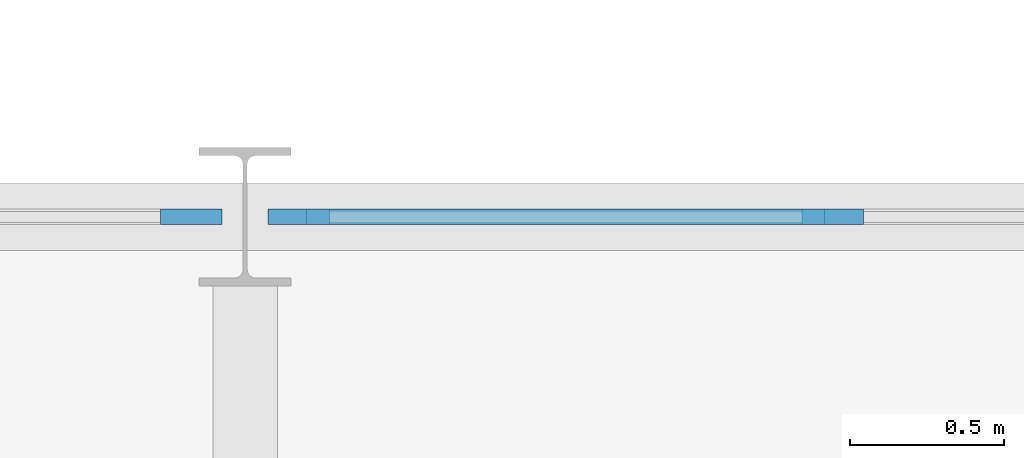
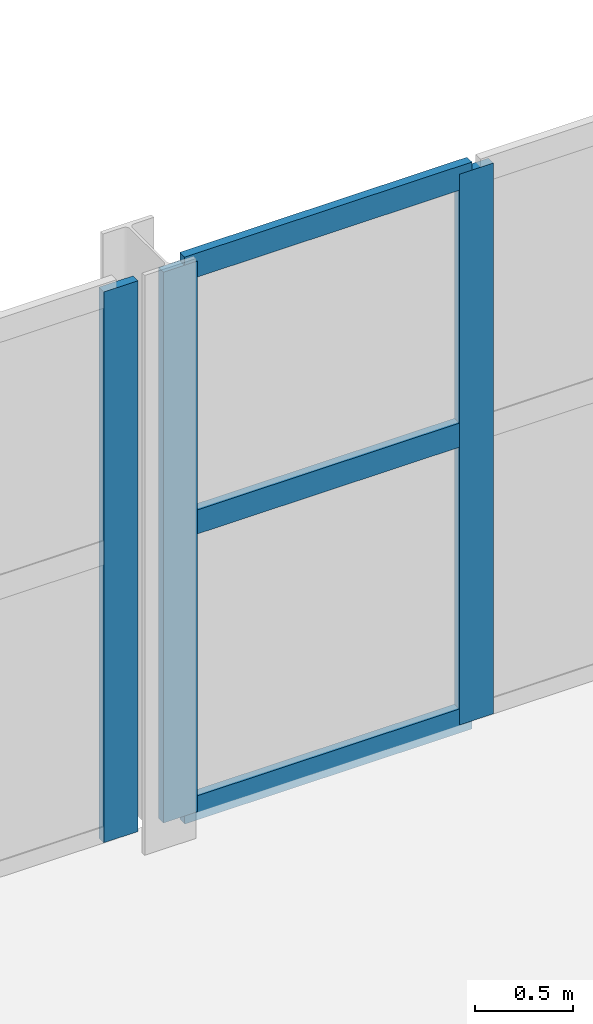
# One storey, part 41 of 124: 6 members, 2 elements without a shape of their own.
"""IFC4 building model written with IfcOpenShell, lengths in metres."""

from ifc_helpers import new_model, si_unit, direction, frame, origin, origin_2d, place, context, subcontext, project, spatial, rectangle, extrude, material, material_profile, profile_set, type_object, element, aggregate, save


model = new_model("IFC4")

# Units and contexts
model_context = context("Model", 3, precision=1e-05, world=origin(), true_north=direction((0.0, 1.0)))
body_context = subcontext(model_context, "Body", "Model", "MODEL_VIEW")
ifc_project = project(units=[si_unit("LENGTHUNIT", "METRE"), si_unit("AREAUNIT", "SQUARE_METRE"), si_unit("VOLUMEUNIT", "CUBIC_METRE"), si_unit("PLANEANGLEUNIT", "RADIAN"), si_unit("MASSUNIT", "GRAM", prefix="KILO")], contexts=[model_context])

# Site, building, storey
site_placement = place(None, origin())
site = spatial("IfcSite", under=ifc_project, at=site_placement, CompositionType="ELEMENT")
building_placement = place(site_placement, origin())
building = spatial("IfcBuilding", under=site, at=building_placement, Name="Kupolbacken Congress Centre", CompositionType="ELEMENT")
storey_placement = place(building_placement, frame((0.0, 0.0, 10.800048828125)))
storey = spatial("IfcBuildingStorey", under=building, at=storey_placement, Name="L03", CompositionType="ELEMENT", Elevation=10.800048828125)

# Curtain wall, members
ifc_material_1 = material(Name="Aluminium mullion-transom frame with glass", Category="aluminium")
curtain_wall_type = type_object("IfcCurtainWallType", Name="CW1 curtain wall 7200x3600", PredefinedType="NOTDEFINED", material=ifc_material_1)
curtain_wall_1_placement = place(storey_placement, origin())
curtain_wall_1 = element("IfcCurtainWall", 1, at=curtain_wall_1_placement, inside=storey, type_object=curtain_wall_type, Name="E/P/N/L03/377", PredefinedType="NOTDEFINED")
ifc_material_2 = material(Name="Aluminium alloy", Category="aluminium")
ifc_material_profile_1 = material_profile(ifc_material_2, rectangle(XDim=0.050048828125, YDim=0.199951171875, at=origin_2d()), Name="50 x 200")
ifc_profile_set_1 = profile_set([ifc_material_profile_1], Name="Aluminium alloy")
member_type_1 = type_object("IfcMemberType", Name="MU2 mullion 50x200", PredefinedType="MULLION", material=ifc_profile_set_1)
member_1_placement = place(storey_placement, frame((37.91259765625, 122.39990234375, 0.0), z_axis=(0.0, 0.0, 1.0), x_axis=(0.0, -1.0, 0.0)))
member_1 = element("IfcMember", 2, at=member_1_placement, type_object=member_type_1, Name="CW1 mullion 4", PredefinedType="MULLION", context=body_context, shape_type="SweptSolid", body=[
    extrude(rectangle(XDim=0.050048828125, YDim=0.199951171875, at=origin_2d()), origin(), (0.0, 0.0, 1.0), 3.419921875),
])
member_2_placement = place(storey_placement, frame((36.175048828125, 122.39990234375, 0.0), z_axis=(0.0, 0.0, 1.0), x_axis=(0.0, -1.0, 0.0)))
member_2 = element("IfcMember", 3, at=member_2_placement, type_object=member_type_1, Name="CW1 mullion 5", PredefinedType="MULLION", context=body_context, shape_type="SweptSolid", body=[
    extrude(rectangle(XDim=0.050048828125, YDim=0.199951171875, at=origin_2d()), origin(), (0.0, 0.0, 1.0), 3.419921875),
])

# Curtain wall, member
curtain_wall_2_placement = place(storey_placement, origin())
curtain_wall_2 = element("IfcCurtainWall", 4, at=curtain_wall_2_placement, inside=storey, type_object=curtain_wall_type, Name="E/P/N/L03/378", PredefinedType="NOTDEFINED")
member_3_placement = place(storey_placement, frame((35.824951171875, 122.39990234375, 0.0), z_axis=(0.0, 0.0, 1.0), x_axis=(0.0, -1.0, 0.0)))
member_3 = element("IfcMember", 5, at=member_3_placement, type_object=member_type_1, Name="CW1 mullion 1", PredefinedType="MULLION", context=body_context, shape_type="SweptSolid", body=[
    extrude(rectangle(XDim=0.050048828125, YDim=0.199951171875, at=origin_2d()), origin(), (0.0, 0.0, 1.0), 3.419921875),
])
aggregate(curtain_wall_2, [member_3])

# Member
ifc_material_3 = material(Name="Aluminium alloy", Category="aluminium")
ifc_material_profile_2 = material_profile(ifc_material_3, rectangle(XDim=0.050048828125, YDim=0.14990234375, at=origin_2d()), Name="50 x 150")
ifc_profile_set_2 = profile_set([ifc_material_profile_2], Name="Aluminium alloy")
member_type_2 = type_object("IfcMemberType", Name="TR2 transom 50x150", PredefinedType="MULLION", material=ifc_profile_set_2)
member_4_placement = place(storey_placement, frame((37.887451171875, 122.39990234375, 0.02490234375), z_axis=(-1.0, 0.0, 0.0), x_axis=(0.0, -1.0, 0.0)))
member_4 = element("IfcMember", 6, at=member_4_placement, type_object=member_type_2, Name="CW1 transom 4.1", PredefinedType="MULLION", context=body_context, shape_type="SweptSolid", body=[
    extrude(rectangle(XDim=0.050048828125, YDim=0.14990234375, at=origin_2d()), origin(), (0.0, 0.0, 1.0), 1.6875),
])

member_5_placement = place(storey_placement, frame((37.887451171875, 122.39990234375, 1.800048828125), z_axis=(-1.0, 0.0, 0.0), x_axis=(0.0, -1.0, 0.0)))
member_5 = element("IfcMember", 7, at=member_5_placement, type_object=member_type_2, Name="CW1 transom 4.2", PredefinedType="MULLION", context=body_context, shape_type="SweptSolid", body=[
    extrude(rectangle(XDim=0.050048828125, YDim=0.14990234375, at=origin_2d()), origin(), (0.0, 0.0, 1.0), 1.6875),
])

member_6_placement = place(storey_placement, frame((37.887451171875, 122.39990234375, 3.39501953125), z_axis=(-1.0, 0.0, 0.0), x_axis=(0.0, -1.0, 0.0)))
member_6 = element("IfcMember", 8, at=member_6_placement, type_object=member_type_2, Name="CW1 transom 4.3", PredefinedType="MULLION", context=body_context, shape_type="SweptSolid", body=[
    extrude(rectangle(XDim=0.050048828125, YDim=0.14990234375, at=origin_2d()), origin(), (0.0, 0.0, 1.0), 1.6875),
])

aggregate(curtain_wall_1, [member_1, member_2, member_4, member_5, member_6])

save(model, "model.ifc")
